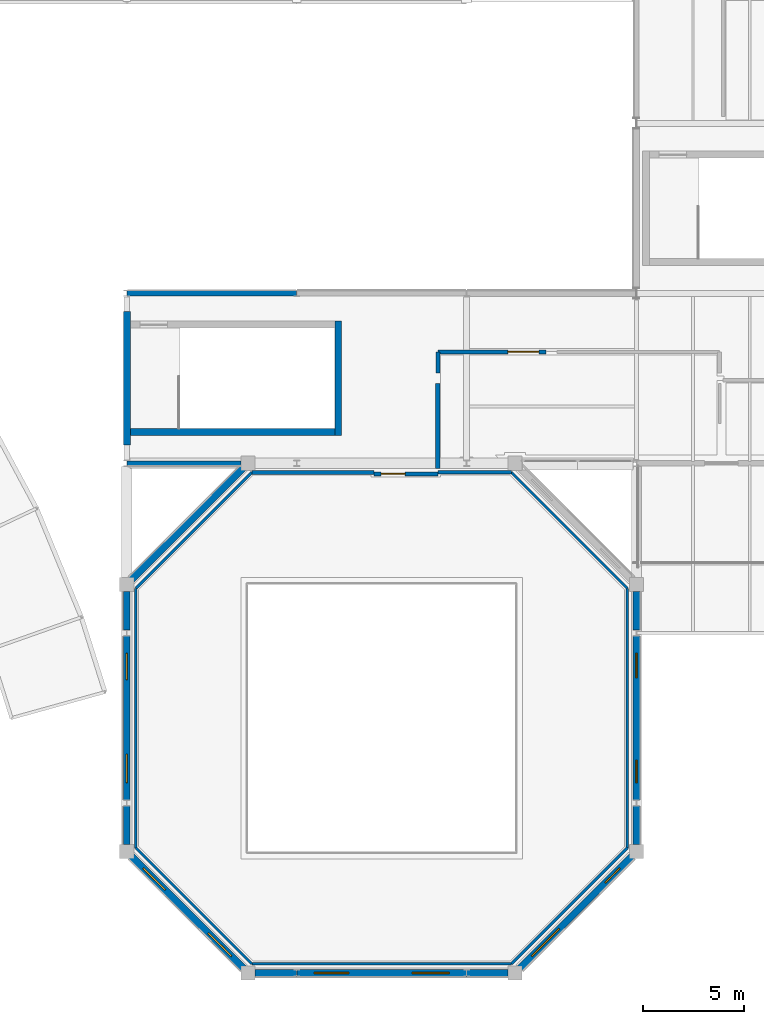
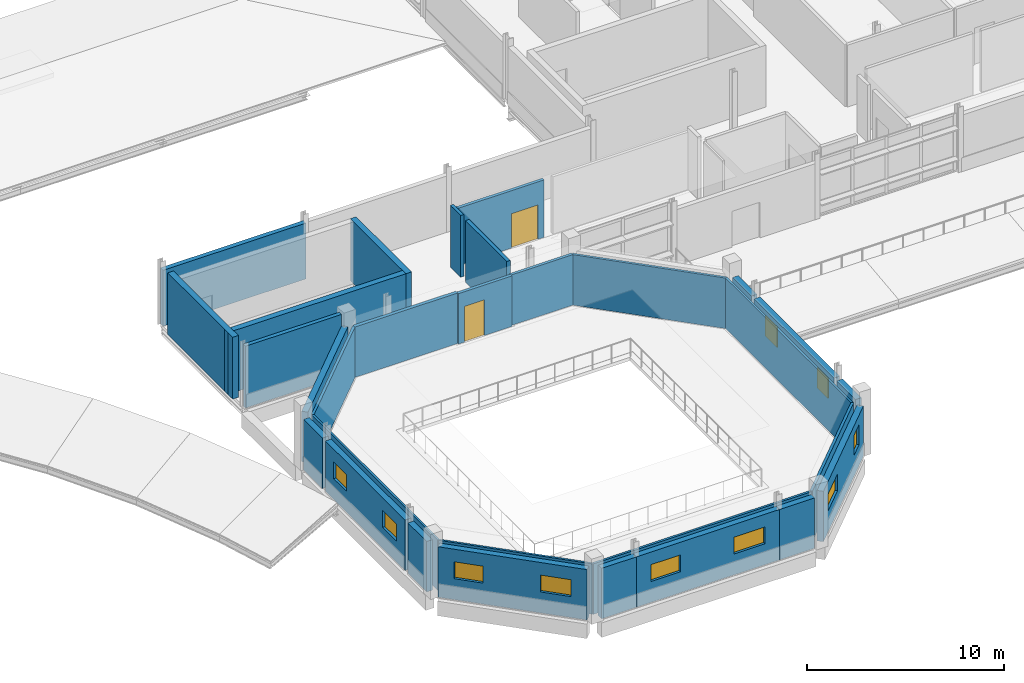
# One storey, part 120 of 151: 30 walls, 10 windows, 2 doors, 12 openings.
"""IFC4 building model written with IfcOpenShell, lengths in metres."""

from ifc_helpers import new_model, si_unit, direction, frame, frame_2d, origin, place, context, subcontext, project, spatial, rectangle, extrude, material, layer, layer_set, type_object, element, fill, save


model = new_model("IFC4")

# Units and contexts
model_context = context("Model", 3, precision=1e-05, world=origin(), true_north=direction((0.0, 1.0)))
body_context = subcontext(model_context, "Body", "Model", "MODEL_VIEW")
ifc_project = project(units=[si_unit("LENGTHUNIT", "METRE"), si_unit("AREAUNIT", "SQUARE_METRE"), si_unit("VOLUMEUNIT", "CUBIC_METRE"), si_unit("PLANEANGLEUNIT", "RADIAN"), si_unit("MASSUNIT", "GRAM", prefix="KILO")], contexts=[model_context])

# Site, building, storey
site_placement = place(None, origin())
site = spatial("IfcSite", under=ifc_project, at=site_placement, CompositionType="ELEMENT")
building_placement = place(site_placement, origin())
building = spatial("IfcBuilding", under=site, at=building_placement, Name="Mersafa Astral City Hall", CompositionType="ELEMENT")
storey_placement = place(building_placement, frame((0.0, 0.0, 9.89990234375)))
storey = spatial("IfcBuildingStorey", under=building, at=storey_placement, Name="L02", CompositionType="ELEMENT", Elevation=9.89990234375)

# Walls
ifc_material_1 = material(Name="Concrete C40/50", Category="concrete")
ifc_layer_1 = layer(ifc_material_1, 0.340087890625, Name="Concrete C40/50")
ifc_layer_set_1 = layer_set([ifc_layer_1], Name="Concrete C40/50 — ENV-WAL-DRUM-340")
wall_type_1 = type_object("IfcWallType", Name="ENV-WAL-DRUM-340", PredefinedType="SHEAR", material=ifc_layer_set_1)
wall_1_placement = place(storey_placement, frame((72.97802734375, 24.97802734375, 0.0), z_axis=(0.0, 0.0, 1.0), x_axis=(-0.707106781187, -0.707106781187, 0.0)))
element("IfcWall", 1, at=wall_1_placement, inside=storey, type_object=wall_type_1, Name="L02 Limestone-clad exterior wall 150", PredefinedType="SHEAR", context=body_context, shape_type="SweptSolid", body=[
    extrude(rectangle(XDim=7.857177734375, YDim=0.340087890625, at=frame_2d((3.9287109375, 0.0))), origin(), (0.0, 0.0, 1.0), 3.132080078125),
])
wall_2_placement = place(storey_placement, frame((67.199951171875, 18.85791015625, 0.0), z_axis=(0.0, 0.0, 1.0), x_axis=(0.0, -1.0, 0.0)))
element("IfcWall", 2, at=wall_2_placement, inside=storey, type_object=wall_type_1, Name="L02 Limestone-clad exterior wall 151", PredefinedType="SHEAR", context=body_context, shape_type="SweptSolid", body=[
    extrude(rectangle(XDim=1.911865234375, YDim=0.340087890625, at=frame_2d((0.9560546875, 0.0))), origin(), (0.0, 0.0, 1.0), 3.132080078125),
])

# Wall, openings, windows
wall_3_placement = place(storey_placement, frame((67.199951171875, 16.654052734375, 0.0), z_axis=(0.0, 0.0, 1.0), x_axis=(0.0, -1.0, 0.0)))
wall_3 = element("IfcWall", 3, at=wall_3_placement, inside=storey, type_object=wall_type_1, Name="L02 Limestone-clad exterior wall 152", PredefinedType="SHEAR", context=body_context, shape_type="SweptSolid", body=[
    extrude(rectangle(XDim=8.108154296875, YDim=0.340087890625, at=frame_2d((4.05419921875, 0.0))), origin(), (0.0, 0.0, 1.0), 3.132080078125),
])
opening_1_placement = place(wall_3_placement, frame((0.85009765625, 0.0, 1.300048828125)))
opening_1 = element("IfcOpeningElement", 4, at=opening_1_placement, cuts=wall_3, Name="Opening W-04", PredefinedType="OPENING", context=body_context, shape_type="SweptSolid", body=[
    extrude(rectangle(XDim=1.320068359375, YDim=1.050048828125, at=frame_2d((0.66015625, 0.52490234375))), frame((0.0, 0.179931640625, 0.0), z_axis=(0.0, -1.0, 0.0), x_axis=(1.0, 0.0, 0.0)), (0.0, 0.0, 1.0), 0.360107421875),
])
opening_2_placement = place(wall_3_placement, frame((5.837890625, 0.0, 1.300048828125)))
opening_2 = element("IfcOpeningElement", 5, at=opening_2_placement, cuts=wall_3, Name="Opening W-05", PredefinedType="OPENING", context=body_context, shape_type="SweptSolid", body=[
    extrude(rectangle(XDim=1.419921875, YDim=1.050048828125, at=frame_2d((0.7099609375, 0.52490234375))), frame((0.0, 0.179931640625, 0.0), z_axis=(0.0, -1.0, 0.0), x_axis=(1.0, 0.0, 0.0)), (0.0, 0.0, 1.0), 0.360107421875),
])
ifc_material_2 = material(Name="Solar control low-e double glazing in bronze frame", Category="glass")
window_type_1 = type_object("IfcWindowType", Name="ENV-WIN-W-04", PartitioningType="SINGLE_PANEL", PredefinedType="WINDOW", material=ifc_material_2)
window_1_placement = place(opening_1_placement, origin())
window_1 = element("IfcWindow", 6, at=window_1_placement, inside=storey, type_object=window_type_1, Name="L02 Solar punched window 152-L", OverallHeight=1.050048828125, OverallWidth=1.320068359375, PartitioningType="SINGLE_PANEL", PredefinedType="WINDOW", context=body_context, shape_type="SweptSolid", body=[
    extrude(rectangle(XDim=1.320068359375, YDim=1.050048828125, at=frame_2d((0.66015625, 0.52490234375))), frame((0.0, 0.030029296875, 0.0), z_axis=(0.0, -1.0, 0.0), x_axis=(1.0, 0.0, 0.0)), (0.0, 0.0, 1.0), 0.06005859375),
])
fill(opening_1, window_1)
window_type_2 = type_object("IfcWindowType", Name="ENV-WIN-W-05", PartitioningType="SINGLE_PANEL", PredefinedType="WINDOW", material=ifc_material_2)
window_2_placement = place(opening_2_placement, origin())
window_2 = element("IfcWindow", 7, at=window_2_placement, inside=storey, type_object=window_type_2, Name="L02 Solar punched window 152-R", OverallHeight=1.050048828125, OverallWidth=1.419921875, PartitioningType="SINGLE_PANEL", PredefinedType="WINDOW", context=body_context, shape_type="SweptSolid", body=[
    extrude(rectangle(XDim=1.419921875, YDim=1.050048828125, at=frame_2d((0.7099609375, 0.52490234375))), frame((0.0, 0.030029296875, 0.0), z_axis=(0.0, -1.0, 0.0), x_axis=(1.0, 0.0, 0.0)), (0.0, 0.0, 1.0), 0.06005859375),
])
fill(opening_2, window_2)

# Wall
wall_4_placement = place(storey_placement, frame((67.199951171875, 8.25390625, 0.0), z_axis=(0.0, 0.0, 1.0), x_axis=(0.0, -1.0, 0.0)))
element("IfcWall", 8, at=wall_4_placement, inside=storey, type_object=wall_type_1, Name="L02 Limestone-clad exterior wall 153", PredefinedType="SHEAR", context=body_context, shape_type="SweptSolid", body=[
    extrude(rectangle(XDim=1.911865234375, YDim=0.340087890625, at=frame_2d((0.9560546875, 0.0))), origin(), (0.0, 0.0, 1.0), 3.132080078125),
])

# Wall, openings, windows
wall_5_placement = place(storey_placement, frame((67.422119140625, 5.778076171875, 0.0), z_axis=(0.0, 0.0, 1.0), x_axis=(0.707091245329, -0.707122316703, 0.0)))
wall_5 = element("IfcWall", 9, at=wall_5_placement, inside=storey, type_object=wall_type_1, Name="L02 Limestone-clad exterior wall 154", PredefinedType="SHEAR", context=body_context, shape_type="SweptSolid", body=[
    extrude(rectangle(XDim=7.857421875, YDim=0.340087890625, at=frame_2d((3.9287109375, 0.0))), origin(), (0.0, 0.0, 1.0), 3.132080078125),
])
opening_3_placement = place(wall_5_placement, frame((0.85009765625, 0.0, 1.300048828125)))
opening_3 = element("IfcOpeningElement", 10, at=opening_3_placement, cuts=wall_5, Name="Opening W-06", PredefinedType="OPENING", context=body_context, shape_type="SweptSolid", body=[
    extrude(rectangle(XDim=1.52001953125, YDim=1.050048828125, at=frame_2d((0.760009765625, 0.52490234375))), frame((0.0, 0.179931640625, 0.0), z_axis=(0.0, -1.0, 0.0), x_axis=(1.0, 0.0, 0.0)), (0.0, 0.0, 1.0), 0.360107421875),
])
opening_4_placement = place(wall_5_placement, frame((5.387451171875, 0.0, 1.300048828125)))
opening_4 = element("IfcOpeningElement", 11, at=opening_4_placement, cuts=wall_5, Name="Opening W-07", PredefinedType="OPENING", context=body_context, shape_type="SweptSolid", body=[
    extrude(rectangle(XDim=1.6201171875, YDim=1.050048828125, at=frame_2d((0.81005859375, 0.52490234375))), frame((0.0, 0.179931640625, 0.0), z_axis=(0.0, -1.0, 0.0), x_axis=(1.0, 0.0, 0.0)), (0.0, 0.0, 1.0), 0.360107421875),
])
window_type_3 = type_object("IfcWindowType", Name="ENV-WIN-W-06", PartitioningType="SINGLE_PANEL", PredefinedType="WINDOW", material=ifc_material_2)
window_3_placement = place(opening_3_placement, origin())
window_3 = element("IfcWindow", 12, at=window_3_placement, inside=storey, type_object=window_type_3, Name="L02 Solar punched window 154-L", OverallHeight=1.050048828125, OverallWidth=1.52001953125, PartitioningType="SINGLE_PANEL", PredefinedType="WINDOW", context=body_context, shape_type="SweptSolid", body=[
    extrude(rectangle(XDim=1.52001953125, YDim=1.050048828125, at=frame_2d((0.760009765625, 0.52490234375))), frame((0.0, 0.030029296875, 0.0), z_axis=(0.0, -1.0, 0.0), x_axis=(1.0, 0.0, 0.0)), (0.0, 0.0, 1.0), 0.06005859375),
])
fill(opening_3, window_3)
window_type_4 = type_object("IfcWindowType", Name="ENV-WIN-W-07", PartitioningType="SINGLE_PANEL", PredefinedType="WINDOW", material=ifc_material_2)
window_4_placement = place(opening_4_placement, origin())
window_4 = element("IfcWindow", 13, at=window_4_placement, inside=storey, type_object=window_type_4, Name="L02 Solar punched window 154-R", OverallHeight=1.050048828125, OverallWidth=1.6201171875, PartitioningType="SINGLE_PANEL", PredefinedType="WINDOW", context=body_context, shape_type="SweptSolid", body=[
    extrude(rectangle(XDim=1.6201171875, YDim=1.050048828125, at=frame_2d((0.81005859375, 0.52490234375))), frame((0.0, 0.030029296875, 0.0), z_axis=(0.0, -1.0, 0.0), x_axis=(1.0, 0.0, 0.0)), (0.0, 0.0, 1.0), 0.06005859375),
])
fill(opening_4, window_4)

# Wall
wall_6_placement = place(storey_placement, frame((73.5419921875, 0.0, 0.0), z_axis=(0.0, 0.0, 1.0), x_axis=(1.0, 0.0, 0.0)))
element("IfcWall", 14, at=wall_6_placement, inside=storey, type_object=wall_type_1, Name="L02 Limestone-clad exterior wall 155", PredefinedType="SHEAR", context=body_context, shape_type="SweptSolid", body=[
    extrude(rectangle(XDim=2.050048828125, YDim=0.340087890625, at=frame_2d((1.02490234375, 0.0))), origin(), (0.0, 0.0, 1.0), 3.132080078125),
])

# Wall, openings, windows
wall_7_placement = place(storey_placement, frame((75.60791015625, 0.0, 0.0), z_axis=(0.0, 0.0, 1.0), x_axis=(1.0, 0.0, 0.0)))
wall_7 = element("IfcWall", 15, at=wall_7_placement, inside=storey, type_object=wall_type_1, Name="L02 Limestone-clad exterior wall 156", PredefinedType="SHEAR", context=body_context, shape_type="SweptSolid", body=[
    extrude(rectangle(XDim=8.384033203125, YDim=0.340087890625, at=frame_2d((4.19189453125, 0.0))), origin(), (0.0, 0.0, 1.0), 3.132080078125),
])
opening_5_placement = place(wall_7_placement, frame((0.85009765625, 0.0, 1.300048828125)))
opening_5 = element("IfcOpeningElement", 16, at=opening_5_placement, cuts=wall_7, Name="Opening W-08", PredefinedType="OPENING", context=body_context, shape_type="SweptSolid", body=[
    extrude(rectangle(XDim=1.719970703125, YDim=1.050048828125, at=frame_2d((0.85986328125, 0.52490234375))), frame((0.0, 0.179931640625, 0.0), z_axis=(0.0, -1.0, 0.0), x_axis=(1.0, 0.0, 0.0)), (0.0, 0.0, 1.0), 0.360107421875),
])
opening_6_placement = place(wall_7_placement, frame((5.714111328125, 0.0, 1.300048828125)))
opening_6 = element("IfcOpeningElement", 17, at=opening_6_placement, cuts=wall_7, Name="Opening W-09", PredefinedType="OPENING", context=body_context, shape_type="SweptSolid", body=[
    extrude(rectangle(XDim=1.820068359375, YDim=1.050048828125, at=frame_2d((0.91015625, 0.52490234375))), frame((0.0, 0.179931640625, 0.0), z_axis=(0.0, -1.0, 0.0), x_axis=(1.0, 0.0, 0.0)), (0.0, 0.0, 1.0), 0.360107421875),
])
window_type_5 = type_object("IfcWindowType", Name="ENV-WIN-W-08", PartitioningType="SINGLE_PANEL", PredefinedType="WINDOW", material=ifc_material_2)
window_5_placement = place(opening_5_placement, origin())
window_5 = element("IfcWindow", 18, at=window_5_placement, inside=storey, type_object=window_type_5, Name="L02 Solar punched window 156-L", OverallHeight=1.050048828125, OverallWidth=1.719970703125, PartitioningType="SINGLE_PANEL", PredefinedType="WINDOW", context=body_context, shape_type="SweptSolid", body=[
    extrude(rectangle(XDim=1.719970703125, YDim=1.050048828125, at=frame_2d((0.85986328125, 0.52490234375))), frame((0.0, 0.030029296875, 0.0), z_axis=(0.0, -1.0, 0.0), x_axis=(1.0, 0.0, 0.0)), (0.0, 0.0, 1.0), 0.06005859375),
])
fill(opening_5, window_5)
window_type_6 = type_object("IfcWindowType", Name="ENV-WIN-W-09", PartitioningType="SINGLE_PANEL", PredefinedType="WINDOW", material=ifc_material_2)
window_6_placement = place(opening_6_placement, origin())
window_6 = element("IfcWindow", 19, at=window_6_placement, inside=storey, type_object=window_type_6, Name="L02 Solar punched window 156-R", OverallHeight=1.050048828125, OverallWidth=1.820068359375, PartitioningType="SINGLE_PANEL", PredefinedType="WINDOW", context=body_context, shape_type="SweptSolid", body=[
    extrude(rectangle(XDim=1.820068359375, YDim=1.050048828125, at=frame_2d((0.91015625, 0.52490234375))), frame((0.0, 0.030029296875, 0.0), z_axis=(0.0, -1.0, 0.0), x_axis=(1.0, 0.0, 0.0)), (0.0, 0.0, 1.0), 0.06005859375),
])
fill(opening_6, window_6)

# Wall
wall_8_placement = place(storey_placement, frame((84.008056640625, 0.0, 0.0), z_axis=(0.0, 0.0, 1.0), x_axis=(1.0, 0.0, 0.0)))
element("IfcWall", 20, at=wall_8_placement, inside=storey, type_object=wall_type_1, Name="L02 Limestone-clad exterior wall 157", PredefinedType="SHEAR", context=body_context, shape_type="SweptSolid", body=[
    extrude(rectangle(XDim=2.050048828125, YDim=0.340087890625, at=frame_2d((1.02490234375, 0.0))), origin(), (0.0, 0.0, 1.0), 3.132080078125),
])

# Wall, openings, windows
wall_9_placement = place(storey_placement, frame((86.6220703125, 0.221923828125, 0.0), z_axis=(0.0, 0.0, 1.0), x_axis=(0.707091245329, 0.707122316703, 0.0)))
wall_9 = element("IfcWall", 21, at=wall_9_placement, inside=storey, type_object=wall_type_1, Name="L02 Limestone-clad exterior wall 158", PredefinedType="SHEAR", context=body_context, shape_type="SweptSolid", body=[
    extrude(rectangle(XDim=7.857421875, YDim=0.340087890625, at=frame_2d((3.9287109375, 0.0))), origin(), (0.0, 0.0, 1.0), 3.132080078125),
])
opening_7_placement = place(wall_9_placement, frame((0.85009765625, 0.0, 1.300048828125)))
opening_7 = element("IfcOpeningElement", 22, at=opening_7_placement, cuts=wall_9, Name="Opening W-10", PredefinedType="OPENING", context=body_context, shape_type="SweptSolid", body=[
    extrude(rectangle(XDim=1.919921875, YDim=1.050048828125, at=frame_2d((0.9599609375, 0.52490234375))), frame((0.0, 0.179931640625, 0.0), z_axis=(0.0, -1.0, 0.0), x_axis=(1.0, 0.0, 0.0)), (0.0, 0.0, 1.0), 0.360107421875),
])
opening_8_placement = place(wall_9_placement, frame((5.9873046875, 0.0, 1.300048828125)))
opening_8 = element("IfcOpeningElement", 23, at=opening_8_placement, cuts=wall_9, Name="Opening W-11", PredefinedType="OPENING", context=body_context, shape_type="SweptSolid", body=[
    extrude(rectangle(XDim=1.02001953125, YDim=1.25, at=frame_2d((0.510009765625, 0.625))), frame((0.0, 0.179931640625, 0.0), z_axis=(0.0, -1.0, 0.0), x_axis=(1.0, 0.0, 0.0)), (0.0, 0.0, 1.0), 0.360107421875),
])
window_type_7 = type_object("IfcWindowType", Name="ENV-WIN-W-10", PartitioningType="SINGLE_PANEL", PredefinedType="WINDOW", material=ifc_material_2)
window_7_placement = place(opening_7_placement, origin())
window_7 = element("IfcWindow", 24, at=window_7_placement, inside=storey, type_object=window_type_7, Name="L02 Solar punched window 158-L", OverallHeight=1.050048828125, OverallWidth=1.919921875, PartitioningType="SINGLE_PANEL", PredefinedType="WINDOW", context=body_context, shape_type="SweptSolid", body=[
    extrude(rectangle(XDim=1.919921875, YDim=1.050048828125, at=frame_2d((0.9599609375, 0.52490234375))), frame((0.0, 0.030029296875, 0.0), z_axis=(0.0, -1.0, 0.0), x_axis=(1.0, 0.0, 0.0)), (0.0, 0.0, 1.0), 0.06005859375),
])
fill(opening_7, window_7)
window_type_8 = type_object("IfcWindowType", Name="ENV-WIN-W-11", PartitioningType="SINGLE_PANEL", PredefinedType="WINDOW", material=ifc_material_2)
window_8_placement = place(opening_8_placement, origin())
window_8 = element("IfcWindow", 25, at=window_8_placement, inside=storey, type_object=window_type_8, Name="L02 Solar punched window 158-R", OverallHeight=1.25, OverallWidth=1.02001953125, PartitioningType="SINGLE_PANEL", PredefinedType="WINDOW", context=body_context, shape_type="SweptSolid", body=[
    extrude(rectangle(XDim=1.02001953125, YDim=1.25, at=frame_2d((0.510009765625, 0.625))), frame((0.0, 0.030029296875, 0.0), z_axis=(0.0, -1.0, 0.0), x_axis=(1.0, 0.0, 0.0)), (0.0, 0.0, 1.0), 0.06005859375),
])
fill(opening_8, window_8)

# Wall
wall_10_placement = place(storey_placement, frame((92.39990234375, 6.342041015625, 0.0), z_axis=(0.0, 0.0, 1.0), x_axis=(0.0, 1.0, 0.0)))
element("IfcWall", 26, at=wall_10_placement, inside=storey, type_object=wall_type_1, Name="L02 Limestone-clad exterior wall 159", PredefinedType="SHEAR", context=body_context, shape_type="SweptSolid", body=[
    extrude(rectangle(XDim=1.911865234375, YDim=0.340087890625, at=frame_2d((0.9560546875, 0.0))), origin(), (0.0, 0.0, 1.0), 3.132080078125),
])

# Wall, openings, windows
wall_11_placement = place(storey_placement, frame((92.39990234375, 8.5458984375, 0.0), z_axis=(0.0, 0.0, 1.0), x_axis=(0.0, 1.0, 0.0)))
wall_11 = element("IfcWall", 27, at=wall_11_placement, inside=storey, type_object=wall_type_1, Name="L02 Limestone-clad exterior wall 160", PredefinedType="SHEAR", context=body_context, shape_type="SweptSolid", body=[
    extrude(rectangle(XDim=8.108154296875, YDim=0.340087890625, at=frame_2d((4.05419921875, 0.0))), origin(), (0.0, 0.0, 1.0), 3.132080078125),
])
opening_9_placement = place(wall_11_placement, frame((0.85009765625, 0.0, 1.300048828125)))
opening_9 = element("IfcOpeningElement", 28, at=opening_9_placement, cuts=wall_11, Name="Opening W-12", PredefinedType="OPENING", context=body_context, shape_type="SweptSolid", body=[
    extrude(rectangle(XDim=1.1201171875, YDim=1.25, at=frame_2d((0.56005859375, 0.625))), frame((0.0, 0.179931640625, 0.0), z_axis=(0.0, -1.0, 0.0), x_axis=(1.0, 0.0, 0.0)), (0.0, 0.0, 1.0), 0.360107421875),
])
opening_10_placement = place(wall_11_placement, frame((6.0380859375, 0.0, 1.300048828125)))
opening_10 = element("IfcOpeningElement", 29, at=opening_10_placement, cuts=wall_11, Name="Opening W-13", PredefinedType="OPENING", context=body_context, shape_type="SweptSolid", body=[
    extrude(rectangle(XDim=1.219970703125, YDim=1.25, at=frame_2d((0.60986328125, 0.625))), frame((0.0, 0.179931640625, 0.0), z_axis=(0.0, -1.0, 0.0), x_axis=(1.0, 0.0, 0.0)), (0.0, 0.0, 1.0), 0.360107421875),
])
window_type_9 = type_object("IfcWindowType", Name="ENV-WIN-W-12", PartitioningType="SINGLE_PANEL", PredefinedType="WINDOW", material=ifc_material_2)
window_9_placement = place(opening_9_placement, origin())
window_9 = element("IfcWindow", 30, at=window_9_placement, inside=storey, type_object=window_type_9, Name="L02 Solar punched window 160-L", OverallHeight=1.25, OverallWidth=1.1201171875, PartitioningType="SINGLE_PANEL", PredefinedType="WINDOW", context=body_context, shape_type="SweptSolid", body=[
    extrude(rectangle(XDim=1.1201171875, YDim=1.25, at=frame_2d((0.56005859375, 0.625))), frame((0.0, 0.030029296875, 0.0), z_axis=(0.0, -1.0, 0.0), x_axis=(1.0, 0.0, 0.0)), (0.0, 0.0, 1.0), 0.06005859375),
])
fill(opening_9, window_9)
window_type_10 = type_object("IfcWindowType", Name="ENV-WIN-W-13", PartitioningType="SINGLE_PANEL", PredefinedType="WINDOW", material=ifc_material_2)
window_10_placement = place(opening_10_placement, origin())
window_10 = element("IfcWindow", 31, at=window_10_placement, inside=storey, type_object=window_type_10, Name="L02 Solar punched window 160-R", OverallHeight=1.25, OverallWidth=1.219970703125, PartitioningType="SINGLE_PANEL", PredefinedType="WINDOW", context=body_context, shape_type="SweptSolid", body=[
    extrude(rectangle(XDim=1.219970703125, YDim=1.25, at=frame_2d((0.60986328125, 0.625))), frame((0.0, 0.030029296875, 0.0), z_axis=(0.0, -1.0, 0.0), x_axis=(1.0, 0.0, 0.0)), (0.0, 0.0, 1.0), 0.06005859375),
])
fill(opening_10, window_10)

# Walls
wall_12_placement = place(storey_placement, frame((92.39990234375, 16.946044921875, 0.0), z_axis=(0.0, 0.0, 1.0), x_axis=(0.0, 1.0, 0.0)))
element("IfcWall", 32, at=wall_12_placement, inside=storey, type_object=wall_type_1, Name="L02 Limestone-clad exterior wall 161", PredefinedType="SHEAR", context=body_context, shape_type="SweptSolid", body=[
    extrude(rectangle(XDim=1.911865234375, YDim=0.340087890625, at=frame_2d((0.9560546875, 0.0))), origin(), (0.0, 0.0, 1.0), 3.132080078125),
])
ifc_material_3 = material(Name="Precast concrete C40/50 insulated terracotta spandrel", Category="masonry")
ifc_layer_2 = layer(ifc_material_3, 0.235107421875, Name="Precast concrete C40/50 insulated terracotta spandrel")
ifc_layer_set_2 = layer_set([ifc_layer_2], Name="Precast concrete C40/50 insulated terracotta spandrel — ENV-WAL-EXT-235")
wall_type_2 = type_object("IfcWallType", Name="ENV-WAL-EXT-235", PredefinedType="STANDARD", material=ifc_layer_set_2)
wall_13_placement = place(storey_placement, frame((67.2080078125, 25.199951171875, 0.0), z_axis=(0.0, 0.0, 1.0), x_axis=(1.0, 0.0, 0.0)))
element("IfcWall", 33, at=wall_13_placement, inside=storey, type_object=wall_type_2, Name="L02 Limestone-clad exterior wall 149", PredefinedType="STANDARD", context=body_context, shape_type="SweptSolid", body=[
    extrude(rectangle(XDim=5.64990234375, YDim=0.235107421875, at=frame_2d((2.824951171875, 0.0))), origin(), (0.0, 0.0, 1.0), 3.840087890625),
])
ifc_material_4 = material(Name="Precast concrete C40/50 insulated limestone wall", Category="masonry")
ifc_layer_3 = layer(ifc_material_4, 0.264892578125, Name="Precast concrete C40/50 insulated limestone wall")
ifc_layer_set_3 = layer_set([ifc_layer_3], Name="Precast concrete C40/50 insulated limestone wall — ENV-WAL-EXT-265")
wall_type_3 = type_object("IfcWallType", Name="ENV-WAL-EXT-265", PredefinedType="STANDARD", material=ifc_layer_set_3)
wall_14_placement = place(storey_placement, frame((75.592041015625, 33.60009765625, 0.0), z_axis=(0.0, 0.0, 1.0), x_axis=(-1.0, 0.0, 0.0)))
element("IfcWall", 34, at=wall_14_placement, inside=storey, type_object=wall_type_3, Name="L02 Limestone-clad exterior wall 225", PredefinedType="STANDARD", context=body_context, shape_type="SweptSolid", body=[
    extrude(rectangle(XDim=8.384033203125, YDim=0.264892578125, at=frame_2d((4.19189453125, 0.0))), origin(), (0.0, 0.0, 1.0), 3.47216796875),
])
ifc_layer_4 = layer(ifc_material_1, 0.340087890625, Name="Concrete C40/50")
ifc_layer_set_4 = layer_set([ifc_layer_4], Name="Concrete C40/50 — INT-WAL-CORE-340")
wall_type_4 = type_object("IfcWallType", Name="INT-WAL-CORE-340", PredefinedType="SHEAR", material=ifc_layer_set_4)
wall_15_placement = place(storey_placement, frame((67.034912109375, 26.7451171875, 0.0), z_axis=(0.0, 0.0, 1.0), x_axis=(1.0, 0.0, 0.0)))
element("IfcWall", 35, at=wall_15_placement, inside=storey, type_object=wall_type_4, Name="L02 Assembly stair K7 south wall", PredefinedType="SHEAR", context=body_context, shape_type="SweptSolid", body=[
    extrude(rectangle(XDim=10.7900390625, YDim=0.340087890625, at=frame_2d((5.39501953125, 0.0))), origin(), (0.0, 0.0, 1.0), 3.840087890625),
])
wall_16_placement = place(storey_placement, frame((67.205078125, 26.094970703125, 0.0), z_axis=(0.0, 0.0, 1.0), x_axis=(0.0, 1.0, 0.0)))
element("IfcWall", 36, at=wall_16_placement, inside=storey, type_object=wall_type_4, Name="L02 Assembly stair K7 west wall", PredefinedType="SHEAR", context=body_context, shape_type="SweptSolid", body=[
    extrude(rectangle(XDim=6.610107421875, YDim=0.340087890625, at=frame_2d((3.30517578125, 0.0))), origin(), (0.0, 0.0, 1.0), 3.840087890625),
])
wall_17_placement = place(storey_placement, frame((77.655029296875, 26.574951171875, 0.0), z_axis=(0.0, 0.0, 1.0), x_axis=(0.0, 1.0, 0.0)))
element("IfcWall", 37, at=wall_17_placement, inside=storey, type_object=wall_type_4, Name="L02 Assembly stair K7 east wall", PredefinedType="SHEAR", context=body_context, shape_type="SweptSolid", body=[
    extrude(rectangle(XDim=5.650146484375, YDim=0.340087890625, at=frame_2d((2.8251953125, 0.0))), origin(), (0.0, 0.0, 1.0), 3.840087890625),
])
ifc_material_5 = material(Name="Acoustic steel-stud gypsum partition", Category="steel")
ifc_layer_5 = layer(ifc_material_5, 0.1201171875, Name="Acoustic steel-stud gypsum partition")
ifc_layer_set_5 = layer_set([ifc_layer_5], Name="Acoustic steel-stud gypsum partition — INT-WAL-PART-EI30-120")
wall_type_5 = type_object("IfcWallType", Name="INT-WAL-PART-EI30-120", PredefinedType="STANDARD", material=ifc_layer_set_5)
for number, where, z_axis, x_axis, name in (
    (38, (67.64990234375, 6.186279296875, -0.00390625), (0.0, 0.0, 1.0), (0.0, 1.0, 0.0), "L02 Interior partition wall 395"),
    (39, (91.949951171875, 19.013671875, -0.00390625), (0.0, 0.0, 1.0), (0.0, -1.0, 0.0), "L02 Interior partition wall 401"),
):
    element("IfcWall", number, at=place(storey_placement, frame(where, z_axis=z_axis, x_axis=x_axis)), inside=storey, type_object=wall_type_5, Name=name, PredefinedType="STANDARD", context=body_context, shape_type="SweptSolid", body=[
        extrude(rectangle(XDim=12.827392578125, YDim=0.1201171875, at=frame_2d((6.41357421875, 0.0))), origin(), (0.0, 0.0, 1.0), 3.135986328125),
    ])
wall_18_placement = place(storey_placement, frame((73.386474609375, 0.449951171875, -0.00390625), z_axis=(0.0, 0.0, 1.0), x_axis=(-0.707121828093, 0.70709173396, 0.0)))
element("IfcWall", 40, at=wall_18_placement, inside=storey, type_object=wall_type_5, Name="L02 Interior partition wall 404", PredefinedType="STANDARD", context=body_context, shape_type="SweptSolid", body=[
    extrude(rectangle(XDim=8.112548828125, YDim=0.1201171875, at=frame_2d((4.05615234375, 0.0))), origin(), (0.0, 0.0, 1.0), 3.135986328125),
])
ifc_layer_6 = layer(ifc_material_5, 0.135009765625, Name="Acoustic steel-stud gypsum partition")
ifc_layer_set_6 = layer_set([ifc_layer_6], Name="Acoustic steel-stud gypsum partition — INT-WAL-PART-EI30-135")
wall_type_6 = type_object("IfcWallType", Name="INT-WAL-PART-EI30-135", PredefinedType="STANDARD", material=ifc_layer_set_6)
wall_19_placement = place(storey_placement, frame((86.213623046875, 24.75, -0.00390625), z_axis=(0.0, 0.0, 1.0), x_axis=(0.707106781187, -0.707106781187, 0.0)))
element("IfcWall", 41, at=wall_19_placement, inside=storey, type_object=wall_type_6, Name="L02 Interior partition wall 400", PredefinedType="STANDARD", context=body_context, shape_type="SweptSolid", body=[
    extrude(rectangle(XDim=8.1123046875, YDim=0.135009765625, at=frame_2d((4.05615234375, 0.0))), origin(), (0.0, 0.0, 1.0), 3.135986328125),
])
wall_20_placement = place(storey_placement, frame((86.213623046875, 0.449951171875, -0.00390625), z_axis=(0.0, 0.0, 1.0), x_axis=(-1.0, 0.0, 0.0)))
element("IfcWall", 42, at=wall_20_placement, inside=storey, type_object=wall_type_6, Name="L02 Interior partition wall 403", PredefinedType="STANDARD", context=body_context, shape_type="SweptSolid", body=[
    extrude(rectangle(XDim=12.8271484375, YDim=0.135009765625, at=frame_2d((6.41357421875, 0.0))), origin(), (0.0, 0.0, 1.0), 3.135986328125),
])
ifc_layer_7 = layer(ifc_material_5, 0.14990234375, Name="Acoustic steel-stud gypsum partition")
ifc_layer_set_7 = layer_set([ifc_layer_7], Name="Acoustic steel-stud gypsum partition — INT-WAL-PART-EI30-150")
wall_type_7 = type_object("IfcWallType", Name="INT-WAL-PART-EI30-150", PredefinedType="STANDARD", material=ifc_layer_set_7)
wall_21_placement = place(storey_placement, frame((67.64990234375, 19.013671875, -0.00390625), z_axis=(0.0, 0.0, 1.0), x_axis=(0.707121828093, 0.70709173396, 0.0)))
element("IfcWall", 43, at=wall_21_placement, inside=storey, type_object=wall_type_7, Name="L02 Interior partition wall 396", PredefinedType="STANDARD", context=body_context, shape_type="SweptSolid", body=[
    extrude(rectangle(XDim=8.112548828125, YDim=0.14990234375, at=frame_2d((4.05615234375, 0.0))), origin(), (0.0, 0.0, 1.0), 3.135986328125),
])
wall_22_placement = place(storey_placement, frame((91.949951171875, 6.186279296875, -0.00390625), z_axis=(0.0, 0.0, 1.0), x_axis=(-0.707106781187, -0.707106781187, 0.0)))
element("IfcWall", 44, at=wall_22_placement, inside=storey, type_object=wall_type_7, Name="L02 Interior partition wall 402", PredefinedType="STANDARD", context=body_context, shape_type="SweptSolid", body=[
    extrude(rectangle(XDim=8.1123046875, YDim=0.14990234375, at=frame_2d((4.05615234375, 0.0))), origin(), (0.0, 0.0, 1.0), 3.135986328125),
])
ifc_material_6 = material(Name="Fire-rated gypsum stud partition", Category="gypsum")
ifc_layer_8 = layer(ifc_material_6, 0.1650390625, Name="Fire-rated gypsum stud partition")
ifc_layer_set_8 = layer_set([ifc_layer_8], Name="Fire-rated gypsum stud partition — INT-WAL-PART-EI60-165")
wall_type_8 = type_object("IfcWallType", Name="INT-WAL-PART-EI60-165", PredefinedType="STANDARD", material=ifc_layer_set_8)
wall_23_placement = place(storey_placement, frame((82.580078125, 24.75, -0.00390625), z_axis=(0.0, 0.0, 1.0), x_axis=(1.0, 0.0, 0.0)))
element("IfcWall", 45, at=wall_23_placement, inside=storey, type_object=wall_type_8, Name="L02 Interior partition wall 399", PredefinedType="STANDARD", context=body_context, shape_type="SweptSolid", body=[
    extrude(rectangle(XDim=3.633544921875, YDim=0.1650390625, at=frame_2d((1.81689453125, 0.0))), origin(), (0.0, 0.0, 1.0), 3.135986328125),
])

# Wall, opening, door
ifc_material_7 = material(Name="Acoustic twin-stud gypsum partition", Category="gypsum")
ifc_layer_9 = layer(ifc_material_7, 0.179931640625, Name="Acoustic twin-stud gypsum partition")
ifc_layer_set_9 = layer_set([ifc_layer_9], Name="Acoustic twin-stud gypsum partition — INT-WAL-PART-EI60-180")
wall_type_9 = type_object("IfcWallType", Name="INT-WAL-PART-EI60-180", PredefinedType="STANDARD", material=ifc_layer_set_9)
wall_24_placement = place(storey_placement, frame((79.419921875, 24.669921875, -0.00390625), z_axis=(0.0, 0.0, 1.0), x_axis=(1.0, 0.0, 0.0)))
wall_24 = element("IfcWall", 46, at=wall_24_placement, inside=storey, type_object=wall_type_9, Name="L02 Interior partition wall 398", PredefinedType="STANDARD", context=body_context, shape_type="SweptSolid", body=[
    extrude(rectangle(XDim=3.16015625, YDim=0.179931640625, at=frame_2d((1.580078125, 0.0))), origin(), (0.0, 0.0, 1.0), 3.135986328125),
])
opening_11_placement = place(wall_24_placement, frame((0.360107421875, 0.0, 0.0)))
opening_11 = element("IfcOpeningElement", 47, at=opening_11_placement, cuts=wall_24, Name="Opening D-23", PredefinedType="OPENING", context=body_context, shape_type="SweptSolid", body=[
    extrude(rectangle(XDim=1.179931640625, YDim=2.219970703125, at=frame_2d((0.58984375, 1.10986328125))), frame((0.0, 0.099853515625, 0.0), z_axis=(0.0, -1.0, 0.0), x_axis=(1.0, 0.0, 0.0)), (0.0, 0.0, 1.0), 0.199951171875),
])
ifc_material_8 = material(Name="Cedar veneered acoustic fire-rated timber door", Category="wood")
door_type_1 = type_object("IfcDoorType", Name="INT-DR-RM-D-23", OperationType="NOTDEFINED", PredefinedType="DOOR", material=ifc_material_8)
door_1_placement = place(opening_11_placement, origin())
door_1 = element("IfcDoor", 48, at=door_1_placement, inside=storey, type_object=door_type_1, Name="L02 Chamber Public Gallery Entrance Door", OperationType="SINGLE_SWING_LEFT", OverallHeight=2.219970703125, OverallWidth=1.179931640625, PredefinedType="DOOR", context=body_context, shape_type="SweptSolid", body=[
    extrude(rectangle(XDim=1.179931640625, YDim=2.219970703125, at=frame_2d((0.58984375, 1.10986328125))), frame((0.0, 0.02490234375, 0.0), z_axis=(0.0, -1.0, 0.0), x_axis=(1.0, 0.0, 0.0)), (0.0, 0.0, 1.0), 0.050048828125),
])
fill(opening_11, door_1)

wall_25_placement = place(storey_placement, frame((82.580078125, 30.699951171875, -0.00390625), z_axis=(0.0, 0.0, 1.0), x_axis=(1.0, 0.0, 0.0)))
wall_25 = element("IfcWall", 49, at=wall_25_placement, inside=storey, type_object=wall_type_9, Name="L02 Interior partition wall 530", PredefinedType="STANDARD", context=body_context, shape_type="SweptSolid", body=[
    extrude(rectangle(XDim=5.35986328125, YDim=0.179931640625, at=frame_2d((2.679931640625, 0.0))), origin(), (0.0, 0.0, 1.0), 3.56591796875),
])
opening_12_placement = place(wall_25_placement, frame((3.4599609375, 0.0, 0.0)))
opening_12 = element("IfcOpeningElement", 50, at=opening_12_placement, cuts=wall_25, Name="Opening D-17", PredefinedType="OPENING", context=body_context, shape_type="SweptSolid", body=[
    extrude(rectangle(XDim=1.5400390625, YDim=2.139892578125, at=frame_2d((0.77001953125, 1.06982421875))), frame((0.0, 0.099853515625, 0.0), z_axis=(0.0, -1.0, 0.0), x_axis=(1.0, 0.0, 0.0)), (0.0, 0.0, 1.0), 0.199951171875),
])
door_type_2 = type_object("IfcDoorType", Name="INT-DR-RM-D-17", OperationType="NOTDEFINED", PredefinedType="DOOR", material=ifc_material_8)
door_2_placement = place(opening_12_placement, origin())
door_2 = element("IfcDoor", 51, at=door_2_placement, inside=storey, type_object=door_type_2, Name="L02 Hearing Room L02-31 Entrance Door", OperationType="SINGLE_SWING_LEFT", OverallHeight=2.139892578125, OverallWidth=1.5400390625, PredefinedType="DOOR", context=body_context, shape_type="SweptSolid", body=[
    extrude(rectangle(XDim=1.5400390625, YDim=2.139892578125, at=frame_2d((0.77001953125, 1.06982421875))), frame((0.0, 0.02490234375, 0.0), z_axis=(0.0, -1.0, 0.0), x_axis=(1.0, 0.0, 0.0)), (0.0, 0.0, 1.0), 0.050048828125),
])
fill(opening_12, door_2)

# Walls
ifc_layer_10 = layer(ifc_material_7, 0.195068359375, Name="Acoustic twin-stud gypsum partition")
ifc_layer_set_10 = layer_set([ifc_layer_10], Name="Acoustic twin-stud gypsum partition — INT-WAL-PART-EI60-195")
wall_type_10 = type_object("IfcWallType", Name="INT-WAL-PART-EI60-195", PredefinedType="STANDARD", material=ifc_layer_set_10)
wall_26_placement = place(storey_placement, frame((73.386474609375, 24.75, -0.00390625), z_axis=(0.0, 0.0, 1.0), x_axis=(1.0, 0.0, 0.0)))
element("IfcWall", 52, at=wall_26_placement, inside=storey, type_object=wall_type_10, Name="L02 Interior partition wall 397", PredefinedType="STANDARD", context=body_context, shape_type="SweptSolid", body=[
    extrude(rectangle(XDim=6.033447265625, YDim=0.195068359375, at=frame_2d((3.0166015625, 0.0))), origin(), (0.0, 0.0, 1.0), 3.135986328125),
])
wall_27_placement = place(storey_placement, frame((82.580078125, 29.659912109375, -0.00390625), z_axis=(0.0, 0.0, 1.0), x_axis=(0.0, 1.0, 0.0)))
element("IfcWall", 53, at=wall_27_placement, inside=storey, type_object=wall_type_10, Name="L02 Interior partition wall 529", PredefinedType="STANDARD", context=body_context, shape_type="SweptSolid", body=[
    extrude(rectangle(XDim=1.0400390625, YDim=0.195068359375, at=frame_2d((0.52001953125, 0.0))), origin(), (0.0, 0.0, 1.0), 3.843994140625),
])
ifc_material_9 = material(Name="Autoclaved aerated concrete blockwork plastered", Category="masonry")
ifc_layer_11 = layer(ifc_material_9, 0.2099609375, Name="Autoclaved aerated concrete blockwork plastered")
ifc_layer_set_11 = layer_set([ifc_layer_11], Name="Autoclaved aerated concrete blockwork plastered — INT-WAL-PART-EI60-210")
wall_type_11 = type_object("IfcWallType", Name="INT-WAL-PART-EI60-210", PredefinedType="STANDARD", material=ifc_layer_set_11)
wall_28_placement = place(storey_placement, frame((82.580078125, 24.949951171875, -0.00390625), z_axis=(0.0, 0.0, 1.0), x_axis=(0.0, 1.0, 0.0)))
element("IfcWall", 54, at=wall_28_placement, inside=storey, type_object=wall_type_11, Name="L02 Interior partition wall 528", PredefinedType="STANDARD", context=body_context, shape_type="SweptSolid", body=[
    extrude(rectangle(XDim=4.18994140625, YDim=0.2099609375, at=frame_2d((2.094970703125, 0.0))), origin(), (0.0, 0.0, 1.0), 3.843994140625),
])

save(model, "model.ifc")
